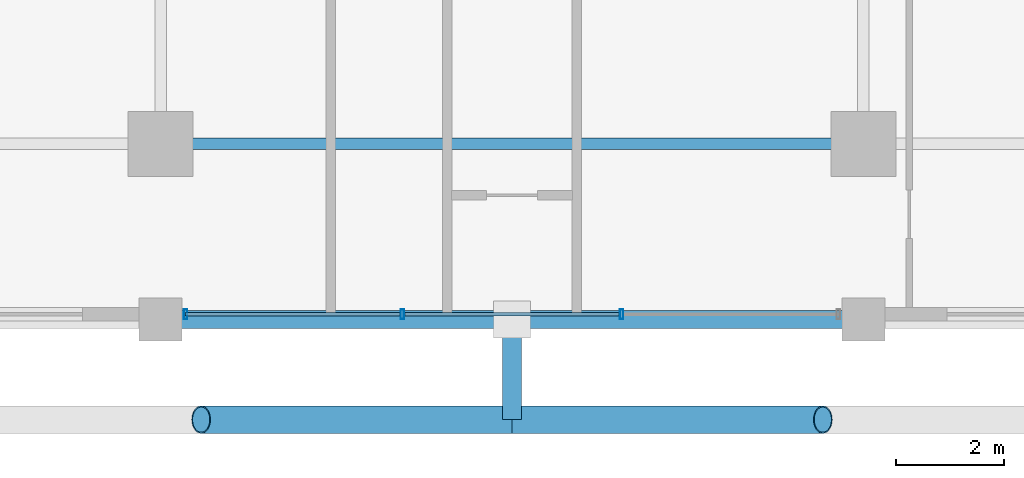
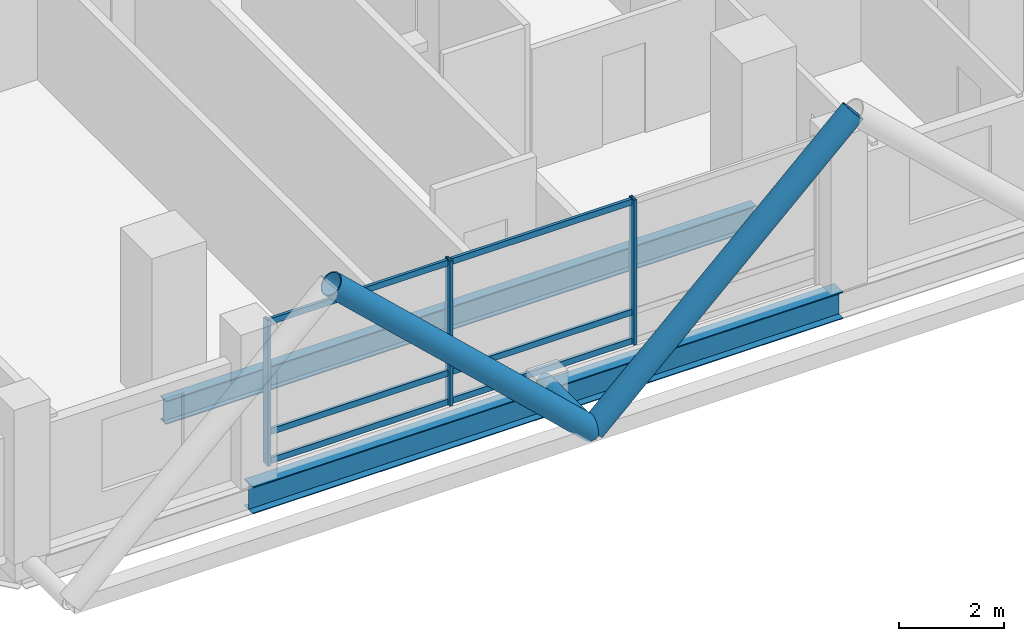
# One storey, part 2 of 24: 12 members, 2 beams, 1 element without a shape of its own.
"""IFC4 building model written with IfcOpenShell, lengths in metres."""

from ifc_helpers import new_model, si_unit, direction, frame, origin, origin_2d, place, context, subcontext, project, spatial, hollow_rectangle, hollow_circle, i_section, extrude, material, layer, layer_set, material_profile, profile_set, type_object, element, aggregate, save


model = new_model("IFC4")

# Units and contexts
model_context = context("Model", 3, precision=1e-05, world=origin(), true_north=direction((0.0, 1.0)))
body_context = subcontext(model_context, "Body", "Model", "MODEL_VIEW")
ifc_project = project(units=[si_unit("LENGTHUNIT", "METRE"), si_unit("AREAUNIT", "SQUARE_METRE"), si_unit("VOLUMEUNIT", "CUBIC_METRE"), si_unit("PLANEANGLEUNIT", "RADIAN"), si_unit("MASSUNIT", "GRAM", prefix="KILO")], contexts=[model_context])

# Site, building, storey
site_placement = place(None, origin())
site = spatial("IfcSite", under=ifc_project, at=site_placement, CompositionType="ELEMENT")
building_placement = place(site_placement, origin())
building = spatial("IfcBuilding", under=site, at=building_placement, Name="Barlavira Tower and Art Museum", CompositionType="ELEMENT")
storey_placement = place(building_placement, frame((0.0, 0.0, 154.800048828125)))
storey = spatial("IfcBuildingStorey", under=building, at=storey_placement, Name="L39", CompositionType="ELEMENT", Elevation=154.800048828125)

# Curtain wall, members
ifc_material_1 = material(Name="Low-iron coastal laminated glass", Category="glass")
ifc_layer = layer(ifc_material_1, 0.18994140625, Name="Low-iron coastal laminated glass")
ifc_layer_set = layer_set([ifc_layer], Name="Low-iron coastal laminated glass")
curtain_wall_type = type_object("IfcCurtainWallType", Name="Pale-Metal Unitised Curtain Wall Zone 2", PredefinedType="NOTDEFINED", material=ifc_layer_set)
curtain_wall_placement = place(storey_placement, origin())
curtain_wall = element("IfcCurtainWall", 1, at=curtain_wall_placement, inside=storey, type_object=curtain_wall_type, Name="L39 Curtain Wall CW2-L39-S-B3", PredefinedType="NOTDEFINED")
ifc_material_2 = material(Name="Pale anodised aluminium", Category="aluminium")
ifc_material_profile_1 = material_profile(ifc_material_2, hollow_rectangle(XDim=0.06494140625, YDim=0.179931640625, WallThickness=0.00390625, at=origin_2d()), Name="ALU-MULL 65x180x4")
ifc_profile_set_1 = profile_set([ifc_material_profile_1], Name="Pale anodised aluminium")
member_type_1 = type_object("IfcMemberType", Name="Curtain Wall Pale-Metal Mullion 65x180", PredefinedType="MULLION", material=ifc_profile_set_1)
member_1_placement = place(storey_placement, frame((-6.034912109375, -23.14990234375, 0.0), z_axis=(0.0, 0.0, 1.0), x_axis=(1.0, 0.0, 0.0)))
member_1 = element("IfcMember", 2, at=member_1_placement, type_object=member_type_1, Name="CW2-L39-S-B3 Mullion 0", PredefinedType="MULLION", context=body_context, shape_type="SweptSolid", body=[
    extrude(hollow_rectangle(XDim=0.06494140625, YDim=0.179931640625, WallThickness=0.00390625, at=origin_2d()), origin(), (0.0, 0.0, 1.0), 3.3798828125),
])
member_2_placement = place(storey_placement, frame((-2.026611328125, -23.14990234375, 0.0), z_axis=(0.0, 0.0, 1.0), x_axis=(1.0, 0.0, 0.0)))
member_2 = element("IfcMember", 3, at=member_2_placement, type_object=member_type_1, Name="CW2-L39-S-B3 Mullion 1", PredefinedType="MULLION", context=body_context, shape_type="SweptSolid", body=[
    extrude(hollow_rectangle(XDim=0.06494140625, YDim=0.179931640625, WallThickness=0.00390625, at=origin_2d()), origin(), (0.0, 0.0, 1.0), 3.3798828125),
])
member_3_placement = place(storey_placement, frame((2.026611328125, -23.14990234375, 0.0), z_axis=(0.0, 0.0, 1.0), x_axis=(1.0, 0.0, 0.0)))
member_3 = element("IfcMember", 4, at=member_3_placement, type_object=member_type_1, Name="CW2-L39-S-B3 Mullion 2", PredefinedType="MULLION", context=body_context, shape_type="SweptSolid", body=[
    extrude(hollow_rectangle(XDim=0.06494140625, YDim=0.179931640625, WallThickness=0.00390625, at=origin_2d()), origin(), (0.0, 0.0, 1.0), 3.3798828125),
])
ifc_material_profile_2 = material_profile(ifc_material_2, hollow_rectangle(XDim=0.06494140625, YDim=0.139892578125, WallThickness=0.00390625, at=origin_2d()), Name="ALU-TRAN 65x140x4")
ifc_profile_set_2 = profile_set([ifc_material_profile_2], Name="Pale anodised aluminium")
member_type_2 = type_object("IfcMemberType", Name="Curtain Wall Pale-Metal Transom 65x140", PredefinedType="USERDEFINED", material=ifc_profile_set_2)
member_4_placement = place(storey_placement, frame((-6.034912109375, -23.14990234375, 0.070068359375), z_axis=(1.0, 0.0, 0.0), x_axis=(0.0, 1.0, 0.0)))
member_4 = element("IfcMember", 5, at=member_4_placement, type_object=member_type_2, Name="CW2-L39-S-B3 Transom 0.1", ObjectType="TRANSOM", PredefinedType="USERDEFINED", context=body_context, shape_type="SweptSolid", body=[
    extrude(hollow_rectangle(XDim=0.06494140625, YDim=0.139892578125, WallThickness=0.00390625, at=origin_2d()), origin(), (0.0, 0.0, 1.0), 3.963134765625),
])
member_5_placement = place(storey_placement, frame((-6.034912109375, -23.14990234375, 0.743896484375), z_axis=(1.0, 0.0, 0.0), x_axis=(0.0, 1.0, 0.0)))
member_5 = element("IfcMember", 6, at=member_5_placement, type_object=member_type_2, Name="CW2-L39-S-B3 Transom 0.2", ObjectType="TRANSOM", PredefinedType="USERDEFINED", context=body_context, shape_type="SweptSolid", body=[
    extrude(hollow_rectangle(XDim=0.06494140625, YDim=0.139892578125, WallThickness=0.00390625, at=origin_2d()), origin(), (0.0, 0.0, 1.0), 3.963134765625),
])
member_6_placement = place(storey_placement, frame((-6.034912109375, -23.14990234375, 3.31005859375), z_axis=(1.0, 0.0, 0.0), x_axis=(0.0, 1.0, 0.0)))
member_6 = element("IfcMember", 7, at=member_6_placement, type_object=member_type_2, Name="CW2-L39-S-B3 Transom 0.3", ObjectType="TRANSOM", PredefinedType="USERDEFINED", context=body_context, shape_type="SweptSolid", body=[
    extrude(hollow_rectangle(XDim=0.06494140625, YDim=0.139892578125, WallThickness=0.00390625, at=origin_2d()), origin(), (0.0, 0.0, 1.0), 3.963134765625),
])
member_7_placement = place(storey_placement, frame((-1.981689453125, -23.14990234375, 0.070068359375), z_axis=(1.0, 0.0, 0.0), x_axis=(0.0, 1.0, 0.0)))
member_7 = element("IfcMember", 8, at=member_7_placement, type_object=member_type_2, Name="CW2-L39-S-B3 Transom 1.1", ObjectType="TRANSOM", PredefinedType="USERDEFINED", context=body_context, shape_type="SweptSolid", body=[
    extrude(hollow_rectangle(XDim=0.06494140625, YDim=0.139892578125, WallThickness=0.00390625, at=origin_2d()), origin(), (0.0, 0.0, 1.0), 3.96337890625),
])
member_8_placement = place(storey_placement, frame((-1.981689453125, -23.14990234375, 0.743896484375), z_axis=(1.0, 0.0, 0.0), x_axis=(0.0, 1.0, 0.0)))
member_8 = element("IfcMember", 9, at=member_8_placement, type_object=member_type_2, Name="CW2-L39-S-B3 Transom 1.2", ObjectType="TRANSOM", PredefinedType="USERDEFINED", context=body_context, shape_type="SweptSolid", body=[
    extrude(hollow_rectangle(XDim=0.06494140625, YDim=0.139892578125, WallThickness=0.00390625, at=origin_2d()), origin(), (0.0, 0.0, 1.0), 3.96337890625),
])
member_9_placement = place(storey_placement, frame((-1.981689453125, -23.14990234375, 3.31005859375), z_axis=(1.0, 0.0, 0.0), x_axis=(0.0, 1.0, 0.0)))
member_9 = element("IfcMember", 10, at=member_9_placement, type_object=member_type_2, Name="CW2-L39-S-B3 Transom 1.3", ObjectType="TRANSOM", PredefinedType="USERDEFINED", context=body_context, shape_type="SweptSolid", body=[
    extrude(hollow_rectangle(XDim=0.06494140625, YDim=0.139892578125, WallThickness=0.00390625, at=origin_2d()), origin(), (0.0, 0.0, 1.0), 3.96337890625),
])
aggregate(curtain_wall, [member_1, member_2, member_3, member_4, member_5, member_6, member_7, member_8, member_9])

# Members
ifc_material_3 = material(Name="Steel S355", Category="steel")
ifc_material_profile_3 = material_profile(ifc_material_3, hollow_circle(Radius=0.25390625, WallThickness=0.022216796875, at=origin_2d()), Name="CHS 508.0x22.2")
ifc_profile_set_3 = profile_set([ifc_material_profile_3], Name="Steel S355")
member_type_3 = type_object("IfcMemberType", Name="Pale-Metal Exoskeleton Diagrid Tube CHS 508x22 Steel S355", PredefinedType="BRACE", material=ifc_profile_set_3)
for number, where, z_axis, x_axis, name in (
    (11, (0.0, -25.10009765625, -0.1201171875), (-0.728934650808, 0.0, 0.684583285548), (0.0, -1.0, 0.0), "L39 Exoskeleton Diagrid Tube S"),
    (12, (0.0, -25.10009765625, -0.1201171875), (0.728934650808, 0.0, 0.684583285548), (0.0, 1.0, 0.0), "L39 Exoskeleton Diagrid Tube S"),
):
    element("IfcMember", number, at=place(storey_placement, frame(where, z_axis=z_axis, x_axis=x_axis)), inside=storey, type_object=member_type_3, Name=name, PredefinedType="BRACE", context=body_context, shape_type="SweptSolid", body=[
        extrude(hollow_circle(Radius=0.25390625, WallThickness=0.022216796875, at=origin_2d()), origin(), (0.0, 0.0, 1.0), 7.88818359375),
    ])
ifc_material_profile_4 = material_profile(ifc_material_3, hollow_circle(Radius=0.177734375, WallThickness=0.01611328125, at=origin_2d()), Name="CHS 355.6x16.0")
ifc_profile_set_4 = profile_set([ifc_material_profile_4], Name="Steel S355")
member_type_4 = type_object("IfcMemberType", Name="Pale-Metal Exoskeleton Tie Strut CHS 356x16 Steel S355", PredefinedType="STRUT", material=ifc_profile_set_4)
member_10_placement = place(storey_placement, frame((0.0, -25.10009765625, -0.1201171875), z_axis=(0.0, 1.0, 0.0), x_axis=(-1.0, 0.0, 0.0)))
element("IfcMember", 13, at=member_10_placement, inside=storey, type_object=member_type_4, Name="L39 Exoskeleton Tie Strut S2", PredefinedType="STRUT", context=body_context, shape_type="SweptSolid", body=[
    extrude(hollow_circle(Radius=0.177734375, WallThickness=0.01611328125, at=origin_2d()), origin(), (0.0, 0.0, 1.0), 1.85009765625),
])

# Beams
ifc_material_profile_5 = material_profile(ifc_material_3, i_section(OverallWidth=0.327880859375, OverallDepth=0.62890625, WebThickness=0.013916015625, FlangeThickness=0.021484375, at=origin_2d()), Name="W610x174.0")
ifc_profile_set_5 = profile_set([ifc_material_profile_5], Name="Steel S355")
beam_type_1 = type_object("IfcBeamType", Name="Perimeter Spandrel Edge Beam W610x174 Steel S355", PredefinedType="SPANDREL", material=ifc_profile_set_5)
beam_1_placement = place(storey_placement, frame((-6.5, -23.25, -0.53466796875), z_axis=(1.0, 0.0, 0.0), x_axis=(0.0, 1.0, 0.0)))
element("IfcBeam", 14, at=beam_1_placement, inside=storey, type_object=beam_type_1, Name="L39 Spandrel 2", PredefinedType="SPANDREL", context=body_context, shape_type="SweptSolid", body=[
    extrude(i_section(OverallWidth=0.327880859375, OverallDepth=0.62890625, WebThickness=0.013916015625, FlangeThickness=0.021484375, at=origin_2d()), origin(), (0.0, 0.0, 1.0), 13.0),
])
ifc_material_profile_6 = material_profile(ifc_material_3, i_section(OverallWidth=0.214111328125, OverallDepth=0.549072265625, WebThickness=0.0146484375, FlangeThickness=0.023681640625, at=origin_2d()), Name="W530x138.0")
ifc_profile_set_6 = profile_set([ifc_material_profile_6], Name="Steel S355")
beam_type_2 = type_object("IfcBeamType", Name="Zone 1 Primary Floor Girder W530x138 Steel S355", PredefinedType="BEAM", material=ifc_profile_set_6)
beam_2_placement = place(storey_placement, frame((-6.5, -20.0, -0.49462890625), z_axis=(1.0, 0.0, 0.0), x_axis=(0.0, 1.0, 0.0)))
element("IfcBeam", 15, at=beam_2_placement, inside=storey, type_object=beam_type_2, Name="L39 Girder M-S2", PredefinedType="BEAM", context=body_context, shape_type="SweptSolid", body=[
    extrude(i_section(OverallWidth=0.214111328125, OverallDepth=0.549072265625, WebThickness=0.0146484375, FlangeThickness=0.023681640625, at=origin_2d()), origin(), (0.0, 0.0, 1.0), 13.0),
])

save(model, "model.ifc")
